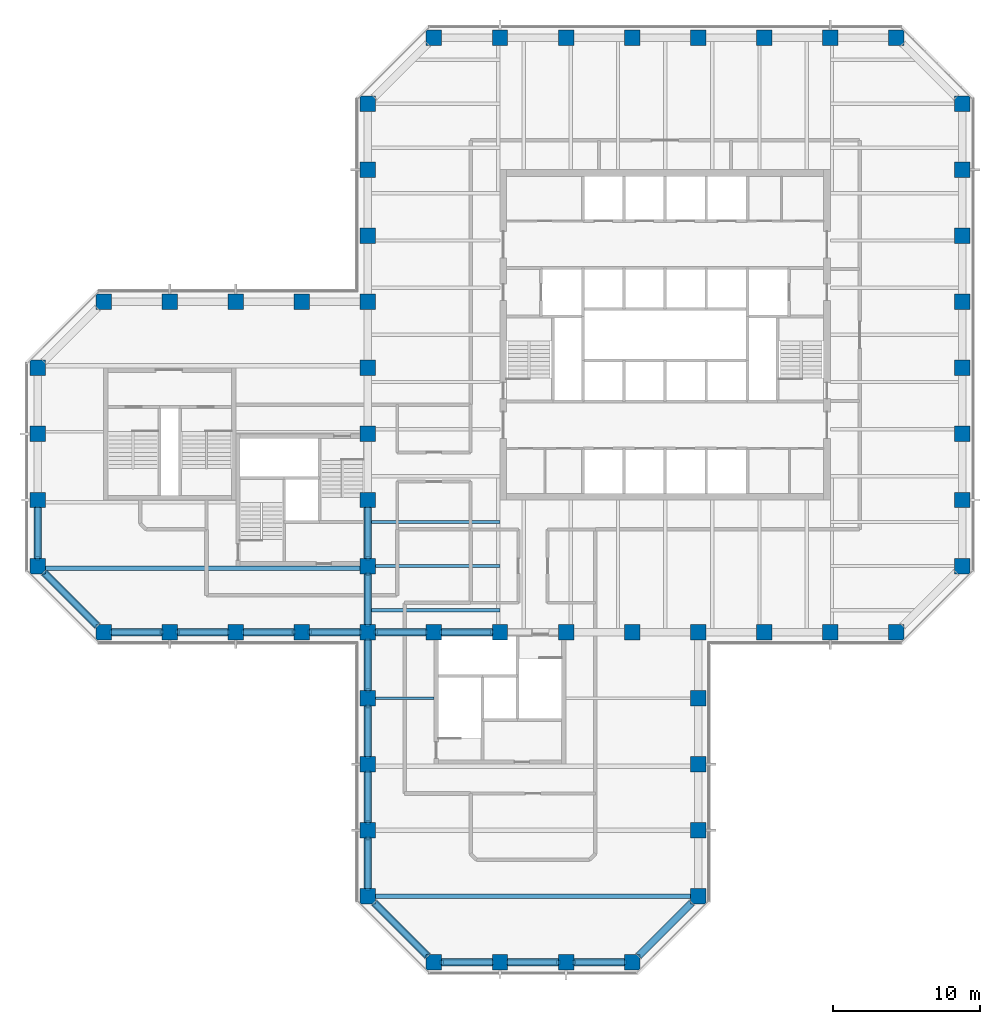
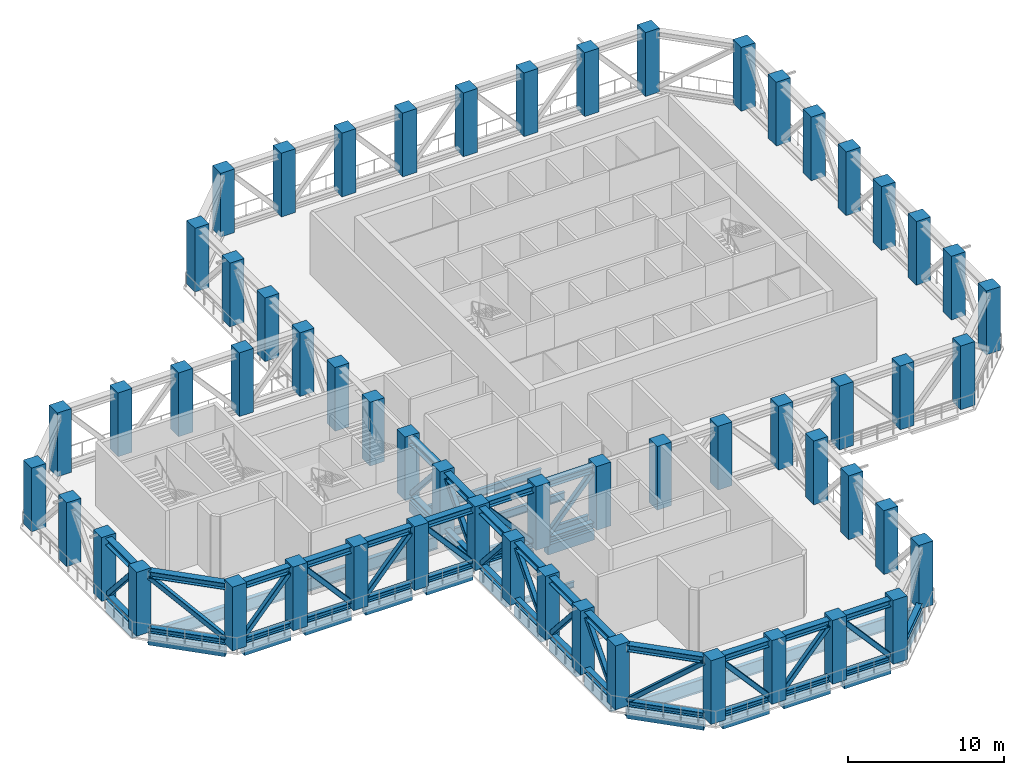
# One storey, part 1 of 14: 57 columns, 55 members, 25 beams.
"""IFC4 building model written with IfcOpenShell, lengths in metres."""

from ifc_helpers import new_model, si_unit, direction, frame, origin, origin_2d, place, context, subcontext, project, spatial, rectangle, hollow_rectangle, i_section, extrude, material, material_profile, profile_set, type_object, element, save


model = new_model("IFC4")

# Units and contexts
model_context = context("Model", 3, precision=1e-05, world=origin(), true_north=direction((0.0, 1.0)))
body_context = subcontext(model_context, "Body", "Model", "MODEL_VIEW")
ifc_project = project(units=[si_unit("LENGTHUNIT", "METRE"), si_unit("AREAUNIT", "SQUARE_METRE"), si_unit("VOLUMEUNIT", "CUBIC_METRE"), si_unit("PLANEANGLEUNIT", "RADIAN"), si_unit("MASSUNIT", "GRAM", prefix="KILO")], contexts=[model_context])

# Site, building, storey
site_placement = place(None, origin())
site = spatial("IfcSite", under=ifc_project, at=site_placement, CompositionType="ELEMENT")
building_placement = place(site_placement, origin())
building = spatial("IfcBuilding", under=site, at=building_placement, Name="Quoin Convention Tower", CompositionType="ELEMENT")
storey_placement = place(building_placement, frame((0.0, 0.0, 138.10009765625)))
storey = spatial("IfcBuildingStorey", under=building, at=storey_placement, Name="L36", CompositionType="ELEMENT", Elevation=138.10009765625)

# Columns
ifc_material_1 = material(Name="Concrete C65", Category="concrete")
ifc_material_profile_1 = material_profile(ifc_material_1, rectangle(XDim=1.050048828125, YDim=1.050048828125, at=origin_2d()), Name="RC 1050x1050")
ifc_profile_set_1 = profile_set([ifc_material_profile_1], Name="Concrete C65")
column_type = type_object("IfcColumnType", Name="RC 1050x1050 C65", PredefinedType="COLUMN", material=ifc_profile_set_1)
for number, where, z_axis, x_axis, name in (
    (1, (40.5, 18.0, 0.0), (0.0, 0.0, 1.0), (1.0, 0.0, 0.0), "col-L36-40500_18000"),
    (2, (45.0, 18.0, 0.0), (0.0, 0.0, 1.0), (1.0, 0.0, 0.0), "col-L36-45000_18000"),
    (3, (49.5, 18.0, 0.0), (0.0, 0.0, 1.0), (1.0, 0.0, 0.0), "col-L36-49500_18000"),
    (4, (54.0, 18.0, 0.0), (0.0, 0.0, 1.0), (1.0, 0.0, 0.0), "col-L36-54000_18000"),
    (5, (36.0, 22.5, 0.0), (0.0, 0.0, 1.0), (1.0, 0.0, 0.0), "col-L36-36000_22500"),
    (6, (58.5, 22.5, 0.0), (0.0, 0.0, 1.0), (1.0, 0.0, 0.0), "col-L36-58500_22500"),
    (7, (36.0, 27.0, 0.0), (0.0, 0.0, 1.0), (1.0, 0.0, 0.0), "col-L36-36000_27000"),
    (8, (58.5, 27.0, 0.0), (0.0, 0.0, 1.0), (1.0, 0.0, 0.0), "col-L36-58500_27000"),
    (9, (36.0, 31.5, 0.0), (0.0, 0.0, 1.0), (1.0, 0.0, 0.0), "col-L36-36000_31500"),
    (10, (58.5, 31.5, 0.0), (0.0, 0.0, 1.0), (1.0, 0.0, 0.0), "col-L36-58500_31500"),
    (11, (36.0, 36.0, 0.0), (0.0, 0.0, 1.0), (1.0, 0.0, 0.0), "col-L36-36000_36000"),
    (12, (58.5, 36.0, 0.0), (0.0, 0.0, 1.0), (1.0, 0.0, 0.0), "col-L36-58500_36000"),
    (13, (18.0, 40.5, 0.0), (0.0, 0.0, 1.0), (1.0, 0.0, 0.0), "col-L36-18000_40500"),
    (14, (22.5, 40.5, 0.0), (0.0, 0.0, 1.0), (1.0, 0.0, 0.0), "col-L36-22500_40500"),
    (15, (27.0, 40.5, 0.0), (0.0, 0.0, 1.0), (1.0, 0.0, 0.0), "col-L36-27000_40500"),
    (16, (31.5, 40.5, 0.0), (0.0, 0.0, 1.0), (1.0, 0.0, 0.0), "col-L36-31500_40500"),
    (17, (36.0, 40.5, 0.0), (0.0, 0.0, 1.0), (1.0, 0.0, 0.0), "col-L36-36000_40500"),
    (18, (40.5, 40.5, 0.0), (0.0, 0.0, 1.0), (1.0, 0.0, 0.0), "web-L36-40500_40500"),
    (19, (45.0, 40.5, 0.0), (0.0, 0.0, 1.0), (1.0, 0.0, 0.0), "web-L36-45000_40500"),
    (20, (49.5, 40.5, 0.0), (0.0, 0.0, 1.0), (1.0, 0.0, 0.0), "web-L36-49500_40500"),
    (21, (54.0, 40.5, 0.0), (0.0, 0.0, 1.0), (1.0, 0.0, 0.0), "web-L36-54000_40500"),
    (22, (58.5, 40.5, 0.0), (0.0, 0.0, 1.0), (1.0, 0.0, 0.0), "col-L36-58500_40500"),
    (23, (63.0, 40.5, 0.0), (0.0, 0.0, 1.0), (1.0, 0.0, 0.0), "col-L36-63000_40500"),
    (24, (67.5, 40.5, 0.0), (0.0, 0.0, 1.0), (1.0, 0.0, 0.0), "col-L36-67500_40500"),
    (25, (72.0, 40.5, 0.0), (0.0, 0.0, 1.0), (1.0, 0.0, 0.0), "col-L36-72000_40500"),
    (26, (13.5, 45.0, 0.0), (0.0, 0.0, 1.0), (1.0, 0.0, 0.0), "col-L36-13500_45000"),
    (27, (36.0, 45.0, 0.0), (0.0, 0.0, 1.0), (1.0, 0.0, 0.0), "web-L36-36000_45000"),
    (28, (76.5, 45.0, 0.0), (0.0, 0.0, 1.0), (1.0, 0.0, 0.0), "col-L36-76500_45000"),
    (29, (13.5, 49.5, 0.0), (0.0, 0.0, 1.0), (1.0, 0.0, 0.0), "col-L36-13500_49500"),
    (30, (36.0, 49.5, 0.0), (0.0, 0.0, 1.0), (1.0, 0.0, 0.0), "web-L36-36000_49500"),
    (31, (76.5, 49.5, 0.0), (0.0, 0.0, 1.0), (1.0, 0.0, 0.0), "col-L36-76500_49500"),
    (32, (13.5, 54.0, 0.0), (0.0, 0.0, 1.0), (1.0, 0.0, 0.0), "col-L36-13500_54000"),
    (33, (36.0, 54.0, 0.0), (0.0, 0.0, 1.0), (1.0, 0.0, 0.0), "web-L36-36000_54000"),
    (34, (76.5, 54.0, 0.0), (0.0, 0.0, 1.0), (1.0, 0.0, 0.0), "col-L36-76500_54000"),
    (35, (13.5, 58.5, 0.0), (0.0, 0.0, 1.0), (1.0, 0.0, 0.0), "col-L36-13500_58500"),
    (36, (36.0, 58.5, 0.0), (0.0, 0.0, 1.0), (1.0, 0.0, 0.0), "web-L36-36000_58500"),
    (37, (76.5, 58.5, 0.0), (0.0, 0.0, 1.0), (1.0, 0.0, 0.0), "col-L36-76500_58500"),
    (38, (18.0, 63.0, 0.0), (0.0, 0.0, 1.0), (1.0, 0.0, 0.0), "col-L36-18000_63000"),
    (39, (22.5, 63.0, 0.0), (0.0, 0.0, 1.0), (1.0, 0.0, 0.0), "col-L36-22500_63000"),
    (40, (27.0, 63.0, 0.0), (0.0, 0.0, 1.0), (1.0, 0.0, 0.0), "col-L36-27000_63000"),
    (41, (31.5, 63.0, 0.0), (0.0, 0.0, 1.0), (1.0, 0.0, 0.0), "col-L36-31500_63000"),
    (42, (36.0, 63.0, 0.0), (0.0, 0.0, 1.0), (1.0, 0.0, 0.0), "col-L36-36000_63000"),
    (43, (76.5, 63.0, 0.0), (0.0, 0.0, 1.0), (1.0, 0.0, 0.0), "col-L36-76500_63000"),
    (44, (36.0, 67.5, 0.0), (0.0, 0.0, 1.0), (1.0, 0.0, 0.0), "col-L36-36000_67500"),
    (45, (76.5, 67.5, 0.0), (0.0, 0.0, 1.0), (1.0, 0.0, 0.0), "col-L36-76500_67500"),
    (46, (36.0, 72.0, 0.0), (0.0, 0.0, 1.0), (1.0, 0.0, 0.0), "col-L36-36000_72000"),
    (47, (76.5, 72.0, 0.0), (0.0, 0.0, 1.0), (1.0, 0.0, 0.0), "col-L36-76500_72000"),
    (48, (36.0, 76.5, 0.0), (0.0, 0.0, 1.0), (1.0, 0.0, 0.0), "col-L36-36000_76500"),
    (49, (76.5, 76.5, 0.0), (0.0, 0.0, 1.0), (1.0, 0.0, 0.0), "col-L36-76500_76500"),
    (50, (40.5, 81.0, 0.0), (0.0, 0.0, 1.0), (1.0, 0.0, 0.0), "col-L36-40500_81000"),
    (51, (45.0, 81.0, 0.0), (0.0, 0.0, 1.0), (1.0, 0.0, 0.0), "col-L36-45000_81000"),
    (52, (49.5, 81.0, 0.0), (0.0, 0.0, 1.0), (1.0, 0.0, 0.0), "col-L36-49500_81000"),
    (53, (54.0, 81.0, 0.0), (0.0, 0.0, 1.0), (1.0, 0.0, 0.0), "col-L36-54000_81000"),
    (54, (58.5, 81.0, 0.0), (0.0, 0.0, 1.0), (1.0, 0.0, 0.0), "col-L36-58500_81000"),
    (55, (63.0, 81.0, 0.0), (0.0, 0.0, 1.0), (1.0, 0.0, 0.0), "col-L36-63000_81000"),
    (56, (67.5, 81.0, 0.0), (0.0, 0.0, 1.0), (1.0, 0.0, 0.0), "col-L36-67500_81000"),
    (57, (72.0, 81.0, 0.0), (0.0, 0.0, 1.0), (1.0, 0.0, 0.0), "col-L36-72000_81000"),
):
    element("IfcColumn", number, at=place(storey_placement, frame(where, z_axis=z_axis, x_axis=x_axis)), inside=storey, type_object=column_type, Name=name, PredefinedType="COLUMN", context=body_context, shape_type="SweptSolid", body=[
        extrude(rectangle(XDim=1.050048828125, YDim=1.050048828125, at=origin_2d()), origin(), (0.0, 0.0, 1.0), 5.0),
    ])

# Beams
ifc_material_2 = material(Name="Steel Grade 300", Category="steel")
ifc_material_profile_2 = material_profile(ifc_material_2, i_section(OverallWidth=0.300048828125, OverallDepth=1.0, WebThickness=0.01611328125, FlangeThickness=0.02001953125, at=origin_2d()), Name="1000WB215")
ifc_profile_set_2 = profile_set([ifc_material_profile_2], Name="Steel Grade 300")
beam_type_1 = type_object("IfcBeamType", Name="1000WB215", PredefinedType="BEAM", material=ifc_profile_set_2)
for number, where, z_axis, x_axis, name in (
    (58, (36.52490234375, 22.5, -0.650146484375), (1.0, 0.0, 0.0), (0.0, 1.0, 0.0), "gir-L36-ST3-1-0"),
    (59, (14.02490234375, 44.85009765625, -0.650146484375), (1.0, 0.0, 0.0), (0.0, 1.0, 0.0), "gir-L36-ST2-1-0"),
):
    element("IfcBeam", number, at=place(storey_placement, frame(where, z_axis=z_axis, x_axis=x_axis)), inside=storey, type_object=beam_type_1, Name=name, PredefinedType="BEAM", context=body_context, shape_type="SweptSolid", body=[
        extrude(i_section(OverallWidth=0.300048828125, OverallDepth=1.0, WebThickness=0.01611328125, FlangeThickness=0.02001953125, at=origin_2d()), origin(), (0.0, 0.0, 1.0), 21.4501953125),
    ])

# Members
ifc_material_3 = material(Name="Steel C450L0", Category="steel")
ifc_material_profile_3 = material_profile(ifc_material_3, hollow_rectangle(XDim=0.35009765625, YDim=0.35009765625, WallThickness=0.01611328125, InnerFilletRadius=0.02392578125, OuterFilletRadius=0.0400390625, at=origin_2d()), Name="350x350x16.0SHS")
ifc_profile_set_3 = profile_set([ifc_material_profile_3], Name="Steel C450L0")
member_type_1 = type_object("IfcMemberType", Name="350x350x16.0SHS", PredefinedType="BRACE", material=ifc_profile_set_3)
member_1_placement = place(storey_placement, frame((13.5, 48.97509765625, 0.421875), z_axis=(0.0, -0.661256330643, 0.750160026384), x_axis=(1.0, 0.0, 0.0)))
element("IfcMember", 60, at=member_1_placement, inside=storey, type_object=member_type_1, Name="Belt truss L36 diagonal 13500_49500-13500_45000", PredefinedType="BRACE", context=body_context, shape_type="SweptSolid", body=[
    extrude(hollow_rectangle(XDim=0.35009765625, YDim=0.35009765625, WallThickness=0.01611328125, InnerFilletRadius=0.02392578125, OuterFilletRadius=0.0400390625, at=origin_2d()), origin(), (0.0, 0.0, 1.0), 5.217529296875),
])
member_2_placement = place(storey_placement, frame((17.559814453125, 40.940185546875, 0.421875), z_axis=(-0.561717629009, 0.561717629009, 0.607409755043), x_axis=(-0.707106781187, -0.707106781187, 0.0)))
element("IfcMember", 61, at=member_2_placement, inside=storey, type_object=member_type_1, Name="Belt truss L36 diagonal 13500_45000-18000_40500", PredefinedType="BRACE", context=body_context, shape_type="SweptSolid", body=[
    extrude(hollow_rectangle(XDim=0.35009765625, YDim=0.35009765625, WallThickness=0.01611328125, InnerFilletRadius=0.02392578125, OuterFilletRadius=0.0400390625, at=origin_2d()), origin(), (0.0, 0.0, 1.0), 6.44384765625),
])
for number, where, z_axis, x_axis, name in (
    (62, (18.52490234375, 40.5, 0.421875), (0.661256330643, 0.0, 0.750160026384), (0.0, 1.0, 0.0), "Belt truss L36 diagonal 18000_40500-22500_40500"),
    (63, (26.47509765625, 40.5, 0.421875), (-0.661256330643, 0.0, 0.750160026384), (0.0, -1.0, 0.0), "Belt truss L36 diagonal 22500_40500-27000_40500"),
    (64, (27.52490234375, 40.5, 0.421875), (0.661256330643, 0.0, 0.750160026384), (0.0, 1.0, 0.0), "Belt truss L36 diagonal 27000_40500-31500_40500"),
    (65, (35.47509765625, 40.5, 0.421875), (-0.661256330643, 0.0, 0.750160026384), (0.0, -1.0, 0.0), "Belt truss L36 diagonal 31500_40500-36000_40500"),
    (66, (36.0, 39.97509765625, 0.421875), (0.0, -0.661256330643, 0.750160026384), (1.0, 0.0, 0.0), "Belt truss L36 diagonal 36000_40500-36000_36000"),
    (67, (36.0, 32.02490234375, 0.421875), (0.0, 0.661256330643, 0.750160026384), (-1.0, 0.0, 0.0), "Belt truss L36 diagonal 36000_36000-36000_31500"),
    (68, (36.0, 30.97509765625, 0.421875), (0.0, -0.661256330643, 0.750160026384), (1.0, 0.0, 0.0), "Belt truss L36 diagonal 36000_31500-36000_27000"),
    (69, (36.0, 23.02490234375, 0.421875), (0.0, 0.661256330643, 0.750160026384), (-1.0, 0.0, 0.0), "Belt truss L36 diagonal 36000_27000-36000_22500"),
):
    element("IfcMember", number, at=place(storey_placement, frame(where, z_axis=z_axis, x_axis=x_axis)), inside=storey, type_object=member_type_1, Name=name, PredefinedType="BRACE", context=body_context, shape_type="SweptSolid", body=[
        extrude(hollow_rectangle(XDim=0.35009765625, YDim=0.35009765625, WallThickness=0.01611328125, InnerFilletRadius=0.02392578125, OuterFilletRadius=0.0400390625, at=origin_2d()), origin(), (0.0, 0.0, 1.0), 5.217529296875),
    ])
member_3_placement = place(storey_placement, frame((36.440185546875, 22.059814453125, 0.421875), z_axis=(0.561717629009, -0.561717629009, 0.607409755043), x_axis=(0.707106781187, 0.707106781187, 0.0)))
element("IfcMember", 70, at=member_3_placement, inside=storey, type_object=member_type_1, Name="Belt truss L36 diagonal 36000_22500-40500_18000", PredefinedType="BRACE", context=body_context, shape_type="SweptSolid", body=[
    extrude(hollow_rectangle(XDim=0.35009765625, YDim=0.35009765625, WallThickness=0.01611328125, InnerFilletRadius=0.02392578125, OuterFilletRadius=0.0400390625, at=origin_2d()), origin(), (0.0, 0.0, 1.0), 6.44384765625),
])
for number, where, z_axis, x_axis, name in (
    (71, (44.47509765625, 18.0, 0.421875), (-0.661256330643, 0.0, 0.750160026384), (0.0, -1.0, 0.0), "Belt truss L36 diagonal 40500_18000-45000_18000"),
    (72, (45.52490234375, 18.0, 0.421875), (0.661256330643, 0.0, 0.750160026384), (0.0, 1.0, 0.0), "Belt truss L36 diagonal 45000_18000-49500_18000"),
    (73, (53.47509765625, 18.0, 0.421875), (-0.661256330643, 0.0, 0.750160026384), (0.0, -1.0, 0.0), "Belt truss L36 diagonal 49500_18000-54000_18000"),
    (74, (39.97509765625, 40.5, 0.421875), (-0.661256330643, 0.0, 0.750160026384), (0.0, -1.0, 0.0), "Belt truss L36 diagonal 36000_40500-40500_40500"),
    (75, (41.02490234375, 40.5, 0.421875), (0.661256330643, 0.0, 0.750160026384), (0.0, 1.0, 0.0), "Belt truss L36 diagonal 40500_40500-45000_40500"),
    (76, (36.0, 41.02490234375, 0.421875), (0.0, 0.661256330643, 0.750160026384), (-1.0, 0.0, 0.0), "Belt truss L36 diagonal 36000_40500-36000_45000"),
    (77, (36.0, 48.97509765625, 0.421875), (0.0, -0.661256330643, 0.750160026384), (1.0, 0.0, 0.0), "Belt truss L36 diagonal 36000_45000-36000_49500"),
):
    element("IfcMember", number, at=place(storey_placement, frame(where, z_axis=z_axis, x_axis=x_axis)), inside=storey, type_object=member_type_1, Name=name, PredefinedType="BRACE", context=body_context, shape_type="SweptSolid", body=[
        extrude(hollow_rectangle(XDim=0.35009765625, YDim=0.35009765625, WallThickness=0.01611328125, InnerFilletRadius=0.02392578125, OuterFilletRadius=0.0400390625, at=origin_2d()), origin(), (0.0, 0.0, 1.0), 5.217529296875),
    ])
ifc_material_profile_4 = material_profile(ifc_material_2, i_section(OverallWidth=0.39990234375, OverallDepth=0.422119140625, WebThickness=0.028076171875, FlangeThickness=0.035888671875, at=origin_2d()), Name="400WC303")
ifc_profile_set_4 = profile_set([ifc_material_profile_4], Name="Steel Grade 300")
member_type_2 = type_object("IfcMemberType", Name="400WC303", PredefinedType="CHORD", material=ifc_profile_set_4)
member_4_placement = place(storey_placement, frame((13.5, 48.97509765625, 0.2109375), z_axis=(0.0, -1.0, 0.0), x_axis=(1.0, 0.0, 0.0)))
element("IfcMember", 78, at=member_4_placement, inside=storey, type_object=member_type_2, Name="Belt truss L36 bottom chord 13500_49500-13500_45000", PredefinedType="CHORD", context=body_context, shape_type="SweptSolid", body=[
    extrude(i_section(OverallWidth=0.39990234375, OverallDepth=0.422119140625, WebThickness=0.028076171875, FlangeThickness=0.035888671875, at=origin_2d()), origin(), (0.0, 0.0, 1.0), 3.4501953125),
])
member_5_placement = place(storey_placement, frame((13.940185546875, 44.559814453125, 0.2109375), z_axis=(0.707106781187, -0.707106781187, 0.0), x_axis=(0.707106781187, 0.707106781187, 0.0)))
element("IfcMember", 79, at=member_5_placement, inside=storey, type_object=member_type_2, Name="Belt truss L36 bottom chord 13500_45000-18000_40500", PredefinedType="CHORD", context=body_context, shape_type="SweptSolid", body=[
    extrude(i_section(OverallWidth=0.39990234375, OverallDepth=0.422119140625, WebThickness=0.028076171875, FlangeThickness=0.035888671875, at=origin_2d()), origin(), (0.0, 0.0, 1.0), 5.118896484375),
])
for number, where, z_axis, x_axis, name in (
    (80, (18.52490234375, 40.5, 0.2109375), (1.0, 0.0, 0.0), (0.0, 1.0, 0.0), "Belt truss L36 bottom chord 18000_40500-22500_40500"),
    (81, (23.02490234375, 40.5, 0.2109375), (1.0, 0.0, 0.0), (0.0, 1.0, 0.0), "Belt truss L36 bottom chord 22500_40500-27000_40500"),
    (82, (27.52490234375, 40.5, 0.2109375), (1.0, 0.0, 0.0), (0.0, 1.0, 0.0), "Belt truss L36 bottom chord 27000_40500-31500_40500"),
    (83, (32.02490234375, 40.5, 0.2109375), (1.0, 0.0, 0.0), (0.0, 1.0, 0.0), "Belt truss L36 bottom chord 31500_40500-36000_40500"),
    (84, (36.0, 39.97509765625, 0.2109375), (0.0, -1.0, 0.0), (1.0, 0.0, 0.0), "Belt truss L36 bottom chord 36000_40500-36000_36000"),
    (85, (36.0, 35.47509765625, 0.2109375), (0.0, -1.0, 0.0), (1.0, 0.0, 0.0), "Belt truss L36 bottom chord 36000_36000-36000_31500"),
    (86, (36.0, 30.97509765625, 0.2109375), (0.0, -1.0, 0.0), (1.0, 0.0, 0.0), "Belt truss L36 bottom chord 36000_31500-36000_27000"),
    (87, (36.0, 26.47509765625, 0.2109375), (0.0, -1.0, 0.0), (1.0, 0.0, 0.0), "Belt truss L36 bottom chord 36000_27000-36000_22500"),
):
    element("IfcMember", number, at=place(storey_placement, frame(where, z_axis=z_axis, x_axis=x_axis)), inside=storey, type_object=member_type_2, Name=name, PredefinedType="CHORD", context=body_context, shape_type="SweptSolid", body=[
        extrude(i_section(OverallWidth=0.39990234375, OverallDepth=0.422119140625, WebThickness=0.028076171875, FlangeThickness=0.035888671875, at=origin_2d()), origin(), (0.0, 0.0, 1.0), 3.4501953125),
    ])
member_6_placement = place(storey_placement, frame((36.440185546875, 22.059814453125, 0.2109375), z_axis=(0.707106781187, -0.707106781187, 0.0), x_axis=(0.707106781187, 0.707106781187, 0.0)))
element("IfcMember", 88, at=member_6_placement, inside=storey, type_object=member_type_2, Name="Belt truss L36 bottom chord 36000_22500-40500_18000", PredefinedType="CHORD", context=body_context, shape_type="SweptSolid", body=[
    extrude(i_section(OverallWidth=0.39990234375, OverallDepth=0.422119140625, WebThickness=0.028076171875, FlangeThickness=0.035888671875, at=origin_2d()), origin(), (0.0, 0.0, 1.0), 5.118896484375),
])
for number, where, z_axis, x_axis, name in (
    (89, (41.02490234375, 18.0, 0.2109375), (1.0, 0.0, 0.0), (0.0, 1.0, 0.0), "Belt truss L36 bottom chord 40500_18000-45000_18000"),
    (90, (45.52490234375, 18.0, 0.2109375), (1.0, 0.0, 0.0), (0.0, 1.0, 0.0), "Belt truss L36 bottom chord 45000_18000-49500_18000"),
    (91, (50.02490234375, 18.0, 0.2109375), (1.0, 0.0, 0.0), (0.0, 1.0, 0.0), "Belt truss L36 bottom chord 49500_18000-54000_18000"),
):
    element("IfcMember", number, at=place(storey_placement, frame(where, z_axis=z_axis, x_axis=x_axis)), inside=storey, type_object=member_type_2, Name=name, PredefinedType="CHORD", context=body_context, shape_type="SweptSolid", body=[
        extrude(i_section(OverallWidth=0.39990234375, OverallDepth=0.422119140625, WebThickness=0.028076171875, FlangeThickness=0.035888671875, at=origin_2d()), origin(), (0.0, 0.0, 1.0), 3.4501953125),
    ])
member_7_placement = place(storey_placement, frame((54.440185546875, 18.440185546875, 0.2109375), z_axis=(0.707106781187, 0.707106781187, 0.0), x_axis=(-0.707106781187, 0.707106781187, 0.0)))
element("IfcMember", 92, at=member_7_placement, inside=storey, type_object=member_type_2, Name="Belt truss L36 bottom chord 54000_18000-58500_22500", PredefinedType="CHORD", context=body_context, shape_type="SweptSolid", body=[
    extrude(i_section(OverallWidth=0.39990234375, OverallDepth=0.422119140625, WebThickness=0.028076171875, FlangeThickness=0.035888671875, at=origin_2d()), origin(), (0.0, 0.0, 1.0), 5.118896484375),
])
for number, where, z_axis, x_axis, name in (
    (93, (36.52490234375, 40.5, 0.2109375), (1.0, 0.0, 0.0), (0.0, 1.0, 0.0), "Belt truss L36 bottom chord 36000_40500-40500_40500"),
    (94, (41.02490234375, 40.5, 0.2109375), (1.0, 0.0, 0.0), (0.0, 1.0, 0.0), "Belt truss L36 bottom chord 40500_40500-45000_40500"),
    (95, (36.0, 41.02490234375, 0.2109375), (0.0, 1.0, 0.0), (-1.0, 0.0, 0.0), "Belt truss L36 bottom chord 36000_40500-36000_45000"),
    (96, (36.0, 45.52490234375, 0.2109375), (0.0, 1.0, 0.0), (-1.0, 0.0, 0.0), "Belt truss L36 bottom chord 36000_45000-36000_49500"),
):
    element("IfcMember", number, at=place(storey_placement, frame(where, z_axis=z_axis, x_axis=x_axis)), inside=storey, type_object=member_type_2, Name=name, PredefinedType="CHORD", context=body_context, shape_type="SweptSolid", body=[
        extrude(i_section(OverallWidth=0.39990234375, OverallDepth=0.422119140625, WebThickness=0.028076171875, FlangeThickness=0.035888671875, at=origin_2d()), origin(), (0.0, 0.0, 1.0), 3.4501953125),
    ])

# Beam
ifc_material_profile_5 = material_profile(ifc_material_2, i_section(OverallWidth=0.18994140625, OverallDepth=0.4541015625, WebThickness=0.008544921875, FlangeThickness=0.0126953125, FilletRadius=0.011474609375, at=origin_2d()), Name="460UB67.1")
ifc_profile_set_5 = profile_set([ifc_material_profile_5], Name="Steel Grade 300")
beam_type_2 = type_object("IfcBeamType", Name="460UB67.1", PredefinedType="BEAM", material=ifc_profile_set_5)
beam_1_placement = place(storey_placement, frame((36.52490234375, 36.0, -0.377197265625), z_axis=(1.0, 0.0, 0.0), x_axis=(0.0, 1.0, 0.0)))
element("IfcBeam", 97, at=beam_1_placement, inside=storey, type_object=beam_type_2, Name="gir-L36-ST3-4-0", PredefinedType="BEAM", context=body_context, shape_type="SweptSolid", body=[
    extrude(i_section(OverallWidth=0.18994140625, OverallDepth=0.4541015625, WebThickness=0.008544921875, FlangeThickness=0.0126953125, FilletRadius=0.011474609375, at=origin_2d()), origin(), (0.0, 0.0, 1.0), 3.97509765625),
])

# Members
ifc_material_profile_6 = material_profile(ifc_material_2, i_section(OverallWidth=0.5, OverallDepth=0.513916015625, WebThickness=0.02490234375, FlangeThickness=0.031982421875, at=origin_2d()), Name="500WC340")
ifc_profile_set_6 = profile_set([ifc_material_profile_6], Name="Steel Grade 300")
member_type_3 = type_object("IfcMemberType", Name="500WC340", PredefinedType="CHORD", material=ifc_profile_set_6)
member_8_placement = place(storey_placement, frame((13.5, 48.97509765625, 4.593017578125), z_axis=(0.0, -1.0, 0.0), x_axis=(1.0, 0.0, 0.0)))
element("IfcMember", 98, at=member_8_placement, inside=storey, type_object=member_type_3, Name="Belt truss L36 top chord 13500_49500-13500_45000", PredefinedType="CHORD", context=body_context, shape_type="SweptSolid", body=[
    extrude(i_section(OverallWidth=0.5, OverallDepth=0.513916015625, WebThickness=0.02490234375, FlangeThickness=0.031982421875, at=origin_2d()), origin(), (0.0, 0.0, 1.0), 3.4501953125),
])
member_9_placement = place(storey_placement, frame((13.940185546875, 44.559814453125, 4.593017578125), z_axis=(0.707106781187, -0.707106781187, 0.0), x_axis=(0.707106781187, 0.707106781187, 0.0)))
element("IfcMember", 99, at=member_9_placement, inside=storey, type_object=member_type_3, Name="Belt truss L36 top chord 13500_45000-18000_40500", PredefinedType="CHORD", context=body_context, shape_type="SweptSolid", body=[
    extrude(i_section(OverallWidth=0.5, OverallDepth=0.513916015625, WebThickness=0.02490234375, FlangeThickness=0.031982421875, at=origin_2d()), origin(), (0.0, 0.0, 1.0), 5.118896484375),
])
for number, where, z_axis, x_axis, name in (
    (100, (18.52490234375, 40.5, 4.593017578125), (1.0, 0.0, 0.0), (0.0, 1.0, 0.0), "Belt truss L36 top chord 18000_40500-22500_40500"),
    (101, (23.02490234375, 40.5, 4.593017578125), (1.0, 0.0, 0.0), (0.0, 1.0, 0.0), "Belt truss L36 top chord 22500_40500-27000_40500"),
    (102, (27.52490234375, 40.5, 4.593017578125), (1.0, 0.0, 0.0), (0.0, 1.0, 0.0), "Belt truss L36 top chord 27000_40500-31500_40500"),
    (103, (32.02490234375, 40.5, 4.593017578125), (1.0, 0.0, 0.0), (0.0, 1.0, 0.0), "Belt truss L36 top chord 31500_40500-36000_40500"),
    (104, (36.0, 39.97509765625, 4.593017578125), (0.0, -1.0, 0.0), (1.0, 0.0, 0.0), "Belt truss L36 top chord 36000_40500-36000_36000"),
    (105, (36.0, 35.47509765625, 4.593017578125), (0.0, -1.0, 0.0), (1.0, 0.0, 0.0), "Belt truss L36 top chord 36000_36000-36000_31500"),
    (106, (36.0, 30.97509765625, 4.593017578125), (0.0, -1.0, 0.0), (1.0, 0.0, 0.0), "Belt truss L36 top chord 36000_31500-36000_27000"),
    (107, (36.0, 26.47509765625, 4.593017578125), (0.0, -1.0, 0.0), (1.0, 0.0, 0.0), "Belt truss L36 top chord 36000_27000-36000_22500"),
):
    element("IfcMember", number, at=place(storey_placement, frame(where, z_axis=z_axis, x_axis=x_axis)), inside=storey, type_object=member_type_3, Name=name, PredefinedType="CHORD", context=body_context, shape_type="SweptSolid", body=[
        extrude(i_section(OverallWidth=0.5, OverallDepth=0.513916015625, WebThickness=0.02490234375, FlangeThickness=0.031982421875, at=origin_2d()), origin(), (0.0, 0.0, 1.0), 3.4501953125),
    ])
member_10_placement = place(storey_placement, frame((36.440185546875, 22.059814453125, 4.593017578125), z_axis=(0.707106781187, -0.707106781187, 0.0), x_axis=(0.707106781187, 0.707106781187, 0.0)))
element("IfcMember", 108, at=member_10_placement, inside=storey, type_object=member_type_3, Name="Belt truss L36 top chord 36000_22500-40500_18000", PredefinedType="CHORD", context=body_context, shape_type="SweptSolid", body=[
    extrude(i_section(OverallWidth=0.5, OverallDepth=0.513916015625, WebThickness=0.02490234375, FlangeThickness=0.031982421875, at=origin_2d()), origin(), (0.0, 0.0, 1.0), 5.118896484375),
])
for number, where, z_axis, x_axis, name in (
    (109, (41.02490234375, 18.0, 4.593017578125), (1.0, 0.0, 0.0), (0.0, 1.0, 0.0), "Belt truss L36 top chord 40500_18000-45000_18000"),
    (110, (45.52490234375, 18.0, 4.593017578125), (1.0, 0.0, 0.0), (0.0, 1.0, 0.0), "Belt truss L36 top chord 45000_18000-49500_18000"),
    (111, (50.02490234375, 18.0, 4.593017578125), (1.0, 0.0, 0.0), (0.0, 1.0, 0.0), "Belt truss L36 top chord 49500_18000-54000_18000"),
    (112, (36.52490234375, 40.5, 4.593017578125), (1.0, 0.0, 0.0), (0.0, 1.0, 0.0), "Belt truss L36 top chord 36000_40500-40500_40500"),
    (113, (41.02490234375, 40.5, 4.593017578125), (1.0, 0.0, 0.0), (0.0, 1.0, 0.0), "Belt truss L36 top chord 40500_40500-45000_40500"),
    (114, (36.0, 41.02490234375, 4.593017578125), (0.0, 1.0, 0.0), (-1.0, 0.0, 0.0), "Belt truss L36 top chord 36000_40500-36000_45000"),
    (115, (36.0, 45.52490234375, 4.593017578125), (0.0, 1.0, 0.0), (-1.0, 0.0, 0.0), "Belt truss L36 top chord 36000_45000-36000_49500"),
):
    element("IfcMember", number, at=place(storey_placement, frame(where, z_axis=z_axis, x_axis=x_axis)), inside=storey, type_object=member_type_3, Name=name, PredefinedType="CHORD", context=body_context, shape_type="SweptSolid", body=[
        extrude(i_section(OverallWidth=0.5, OverallDepth=0.513916015625, WebThickness=0.02490234375, FlangeThickness=0.031982421875, at=origin_2d()), origin(), (0.0, 0.0, 1.0), 3.4501953125),
    ])

# Beams
ifc_material_profile_7 = material_profile(ifc_material_2, i_section(OverallWidth=0.22802734375, OverallDepth=0.60205078125, WebThickness=0.010498046875, FlangeThickness=0.014892578125, FilletRadius=0.013916015625, at=origin_2d()), Name="610UB101")
ifc_profile_set_7 = profile_set([ifc_material_profile_7], Name="Steel Grade 300")
beam_type_3 = type_object("IfcBeamType", Name="610UB101", PredefinedType="BEAM", material=ifc_profile_set_7)
beam_2_placement = place(storey_placement, frame((36.25, 42.0, -0.451171875), z_axis=(1.0, 0.0, 0.0), x_axis=(0.0, 1.0, 0.0)))
element("IfcBeam", 116, at=beam_2_placement, inside=storey, type_object=beam_type_3, Name="bm-L36-T1SW0", PredefinedType="BEAM", context=body_context, shape_type="SweptSolid", body=[
    extrude(i_section(OverallWidth=0.22802734375, OverallDepth=0.60205078125, WebThickness=0.010498046875, FlangeThickness=0.014892578125, FilletRadius=0.013916015625, at=origin_2d()), origin(), (0.0, 0.0, 1.0), 8.75),
])
beam_3_placement = place(storey_placement, frame((36.52490234375, 45.0, -0.451171875), z_axis=(1.0, 0.0, 0.0), x_axis=(0.0, 1.0, 0.0)))
element("IfcBeam", 117, at=beam_3_placement, inside=storey, type_object=beam_type_3, Name="bm-L36-T1SW1", PredefinedType="BEAM", context=body_context, shape_type="SweptSolid", body=[
    extrude(i_section(OverallWidth=0.22802734375, OverallDepth=0.60205078125, WebThickness=0.010498046875, FlangeThickness=0.014892578125, FilletRadius=0.013916015625, at=origin_2d()), origin(), (0.0, 0.0, 1.0), 8.47509765625),
])
beam_4_placement = place(storey_placement, frame((36.25, 48.0, -0.451171875), z_axis=(1.0, 0.0, 0.0), x_axis=(0.0, 1.0, 0.0)))
element("IfcBeam", 118, at=beam_4_placement, inside=storey, type_object=beam_type_3, Name="bm-L36-T1SW2", PredefinedType="BEAM", context=body_context, shape_type="SweptSolid", body=[
    extrude(i_section(OverallWidth=0.22802734375, OverallDepth=0.60205078125, WebThickness=0.010498046875, FlangeThickness=0.014892578125, FilletRadius=0.013916015625, at=origin_2d()), origin(), (0.0, 0.0, 1.0), 8.75),
])
ifc_material_profile_8 = material_profile(ifc_material_1, rectangle(XDim=0.5, YDim=0.75, at=origin_2d()), Name="RC 500x750")
ifc_profile_set_8 = profile_set([ifc_material_profile_8], Name="Concrete C65")
beam_type_4 = type_object("IfcBeamType", Name="RC 500x750 C65", PredefinedType="SPANDREL", material=ifc_profile_set_8)
beam_5_placement = place(storey_placement, frame((13.5, 48.97509765625, -0.525146484375), z_axis=(0.0, -1.0, 0.0), x_axis=(1.0, 0.0, 0.0)))
element("IfcBeam", 119, at=beam_5_placement, inside=storey, type_object=beam_type_4, Name="spd-L36-13500_49500-13500_45000", PredefinedType="SPANDREL", context=body_context, shape_type="SweptSolid", body=[
    extrude(rectangle(XDim=0.5, YDim=0.75, at=origin_2d()), origin(), (0.0, 0.0, 1.0), 3.4501953125),
])
beam_6_placement = place(storey_placement, frame((13.940185546875, 44.559814453125, -0.525146484375), z_axis=(0.707106781187, -0.707106781187, 0.0), x_axis=(0.707106781187, 0.707106781187, 0.0)))
element("IfcBeam", 120, at=beam_6_placement, inside=storey, type_object=beam_type_4, Name="spd-L36-13500_45000-18000_40500", PredefinedType="SPANDREL", context=body_context, shape_type="SweptSolid", body=[
    extrude(rectangle(XDim=0.5, YDim=0.75, at=origin_2d()), origin(), (0.0, 0.0, 1.0), 5.118896484375),
])
for number, where, z_axis, x_axis, name in (
    (121, (18.52490234375, 40.5, -0.525146484375), (1.0, 0.0, 0.0), (0.0, 1.0, 0.0), "spd-L36-18000_40500-22500_40500"),
    (122, (23.02490234375, 40.5, -0.525146484375), (1.0, 0.0, 0.0), (0.0, 1.0, 0.0), "spd-L36-22500_40500-27000_40500"),
    (123, (27.52490234375, 40.5, -0.525146484375), (1.0, 0.0, 0.0), (0.0, 1.0, 0.0), "spd-L36-27000_40500-31500_40500"),
    (124, (32.02490234375, 40.5, -0.525146484375), (1.0, 0.0, 0.0), (0.0, 1.0, 0.0), "spd-L36-31500_40500-36000_40500"),
    (125, (36.0, 39.97509765625, -0.525146484375), (0.0, -1.0, 0.0), (1.0, 0.0, 0.0), "spd-L36-36000_40500-36000_36000"),
    (126, (36.0, 35.47509765625, -0.525146484375), (0.0, -1.0, 0.0), (1.0, 0.0, 0.0), "spd-L36-36000_36000-36000_31500"),
    (127, (36.0, 30.97509765625, -0.525146484375), (0.0, -1.0, 0.0), (1.0, 0.0, 0.0), "spd-L36-36000_31500-36000_27000"),
    (128, (36.0, 26.47509765625, -0.525146484375), (0.0, -1.0, 0.0), (1.0, 0.0, 0.0), "spd-L36-36000_27000-36000_22500"),
):
    element("IfcBeam", number, at=place(storey_placement, frame(where, z_axis=z_axis, x_axis=x_axis)), inside=storey, type_object=beam_type_4, Name=name, PredefinedType="SPANDREL", context=body_context, shape_type="SweptSolid", body=[
        extrude(rectangle(XDim=0.5, YDim=0.75, at=origin_2d()), origin(), (0.0, 0.0, 1.0), 3.4501953125),
    ])
beam_7_placement = place(storey_placement, frame((36.440185546875, 22.059814453125, -0.525146484375), z_axis=(0.707106781187, -0.707106781187, 0.0), x_axis=(0.707106781187, 0.707106781187, 0.0)))
element("IfcBeam", 129, at=beam_7_placement, inside=storey, type_object=beam_type_4, Name="spd-L36-36000_22500-40500_18000", PredefinedType="SPANDREL", context=body_context, shape_type="SweptSolid", body=[
    extrude(rectangle(XDim=0.5, YDim=0.75, at=origin_2d()), origin(), (0.0, 0.0, 1.0), 5.118896484375),
])
for number, where, z_axis, x_axis, name in (
    (130, (41.02490234375, 18.0, -0.525146484375), (1.0, 0.0, 0.0), (0.0, 1.0, 0.0), "spd-L36-40500_18000-45000_18000"),
    (131, (45.52490234375, 18.0, -0.525146484375), (1.0, 0.0, 0.0), (0.0, 1.0, 0.0), "spd-L36-45000_18000-49500_18000"),
    (132, (50.02490234375, 18.0, -0.525146484375), (1.0, 0.0, 0.0), (0.0, 1.0, 0.0), "spd-L36-49500_18000-54000_18000"),
):
    element("IfcBeam", number, at=place(storey_placement, frame(where, z_axis=z_axis, x_axis=x_axis)), inside=storey, type_object=beam_type_4, Name=name, PredefinedType="SPANDREL", context=body_context, shape_type="SweptSolid", body=[
        extrude(rectangle(XDim=0.5, YDim=0.75, at=origin_2d()), origin(), (0.0, 0.0, 1.0), 3.4501953125),
    ])
beam_8_placement = place(storey_placement, frame((54.440185546875, 18.440185546875, -0.525146484375), z_axis=(0.707106781187, 0.707106781187, 0.0), x_axis=(-0.707106781187, 0.707106781187, 0.0)))
element("IfcBeam", 133, at=beam_8_placement, inside=storey, type_object=beam_type_4, Name="spd-L36-54000_18000-58500_22500", PredefinedType="SPANDREL", context=body_context, shape_type="SweptSolid", body=[
    extrude(rectangle(XDim=0.5, YDim=0.75, at=origin_2d()), origin(), (0.0, 0.0, 1.0), 5.118896484375),
])
for number, where, z_axis, x_axis, name in (
    (134, (36.52490234375, 40.5, -0.525146484375), (1.0, 0.0, 0.0), (0.0, 1.0, 0.0), "spd-L36-36000_40500-40500_40500"),
    (135, (41.02490234375, 40.5, -0.525146484375), (1.0, 0.0, 0.0), (0.0, 1.0, 0.0), "spd-L36-40500_40500-45000_40500"),
    (136, (36.0, 41.02490234375, -0.525146484375), (0.0, 1.0, 0.0), (-1.0, 0.0, 0.0), "spd-L36-36000_40500-36000_45000"),
    (137, (36.0, 45.52490234375, -0.525146484375), (0.0, 1.0, 0.0), (-1.0, 0.0, 0.0), "spd-L36-36000_45000-36000_49500"),
):
    element("IfcBeam", number, at=place(storey_placement, frame(where, z_axis=z_axis, x_axis=x_axis)), inside=storey, type_object=beam_type_4, Name=name, PredefinedType="SPANDREL", context=body_context, shape_type="SweptSolid", body=[
        extrude(rectangle(XDim=0.5, YDim=0.75, at=origin_2d()), origin(), (0.0, 0.0, 1.0), 3.4501953125),
    ])

save(model, "model.ifc")
